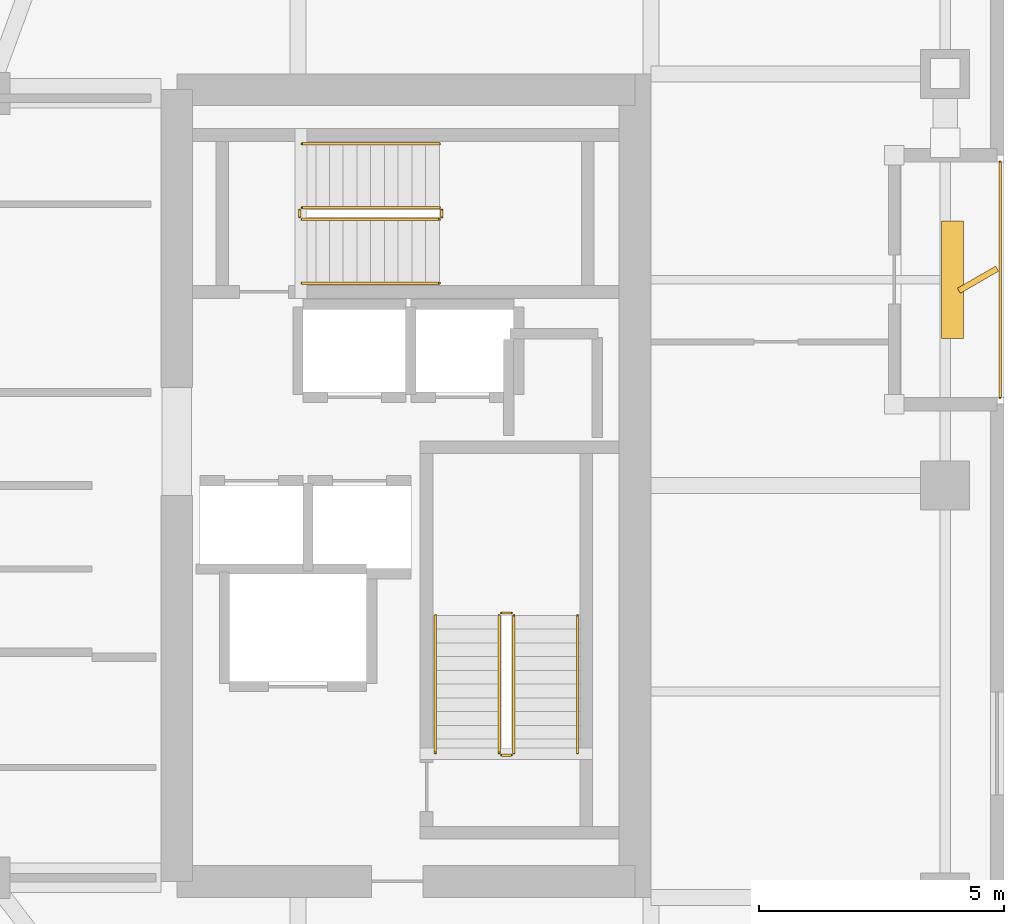
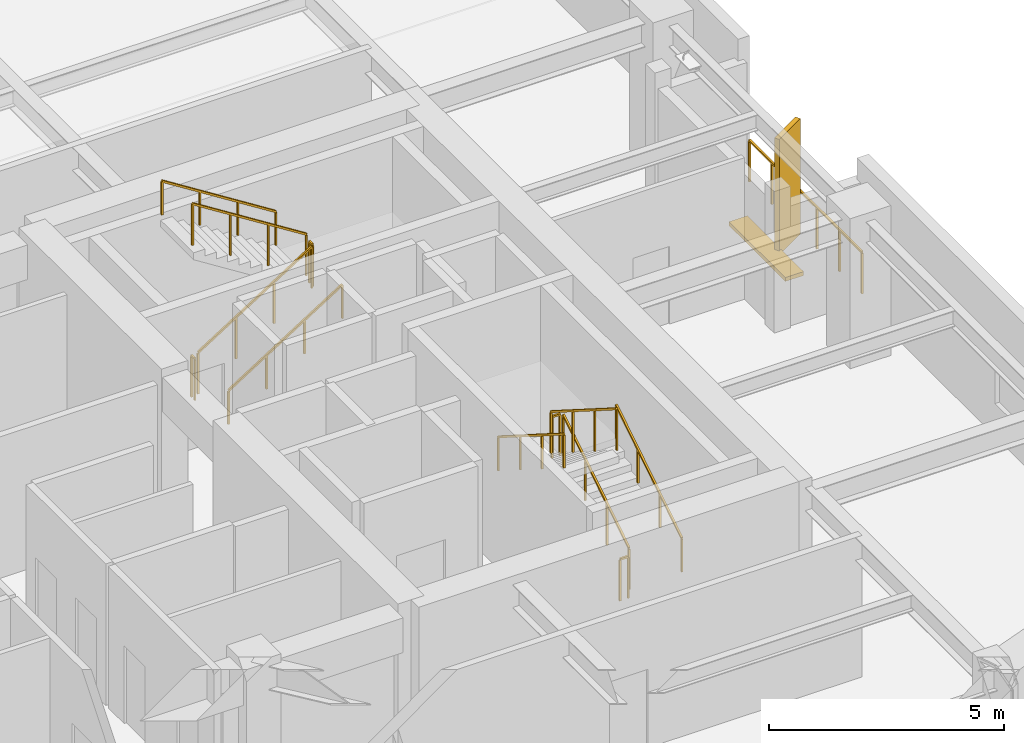
# One storey, part 20 of 21: 13 railings, 2 shading devices.
"""IFC4 building model written with IfcOpenShell, lengths in metres."""

from ifc_helpers import new_model, si_unit, direction, frame, origin, origin_2d, place, context, subcontext, project, spatial, rectangle, extrude, material, type_object, element, save


model = new_model("IFC4")

# Units and contexts
model_context = context("Model", 3, precision=1e-05, world=origin(), true_north=direction((0.0, 1.0)))
body_context = subcontext(model_context, "Body", "Model", "MODEL_VIEW")
ifc_project = project(units=[si_unit("LENGTHUNIT", "METRE"), si_unit("AREAUNIT", "SQUARE_METRE"), si_unit("VOLUMEUNIT", "CUBIC_METRE"), si_unit("PLANEANGLEUNIT", "RADIAN"), si_unit("MASSUNIT", "GRAM", prefix="KILO")], contexts=[model_context])

# Site, building, storey
site_placement = place(None, origin())
site = spatial("IfcSite", under=ifc_project, at=site_placement, CompositionType="ELEMENT")
building_placement = place(site_placement, origin())
building = spatial("IfcBuilding", under=site, at=building_placement, Name="Kiyonajd Concourse Tower", CompositionType="ELEMENT")
storey_placement = place(building_placement, frame((0.0, 0.0, 234.89990234375)))
storey = spatial("IfcBuildingStorey", under=building, at=storey_placement, Name="L59", CompositionType="ELEMENT", Elevation=234.89990234375)

# Railings
ifc_material_1 = material(Name="Thermally Broken Anodised Aluminium", Category="aluminium")
railing_type_1 = type_object("IfcRailingType", Name="RL-GRD-LOG", PredefinedType="GUARDRAIL", material=ifc_material_1)
railing_1_placement = place(storey_placement, frame((70.719970703125, 37.800048828125, 0.0)))
element("IfcRailing", 1, at=railing_1_placement, inside=storey, type_object=railing_type_1, Name="L59 Engawa Loggia Perimeter Guard LOG-E", PredefinedType="GUARDRAIL", context=body_context, shape_type="SweptSolid", body=[
    extrude(rectangle(XDim=0.048095703125, YDim=0.048095703125, at=origin_2d()), frame((0.0, 0.0, 1.076171875), z_axis=(0.0, 1.0, 0.0), x_axis=(-1.0, 0.0, 0.0)), (0.0, 0.0, 1.0), 4.800048828125),
    extrude(rectangle(XDim=0.0419921875, YDim=0.0419921875, at=origin_2d()), origin(), (0.0, 0.0, 1.0), 1.052001953125),
    extrude(rectangle(XDim=0.0419921875, YDim=0.0419921875, at=origin_2d()), frame((0.0, 0.9599609375, 0.0)), (0.0, 0.0, 1.0), 1.052001953125),
    extrude(rectangle(XDim=0.0419921875, YDim=0.0419921875, at=origin_2d()), frame((0.0, 1.919921875, 0.0)), (0.0, 0.0, 1.0), 1.052001953125),
    extrude(rectangle(XDim=0.0419921875, YDim=0.0419921875, at=origin_2d()), frame((0.0, 2.880126953125, 0.0)), (0.0, 0.0, 1.0), 1.052001953125),
    extrude(rectangle(XDim=0.0419921875, YDim=0.0419921875, at=origin_2d()), frame((0.0, 3.840087890625, 0.0)), (0.0, 0.0, 1.0), 1.052001953125),
    extrude(rectangle(XDim=0.0419921875, YDim=0.0419921875, at=origin_2d()), frame((0.0, 4.800048828125, 0.0)), (0.0, 0.0, 1.0), 1.052001953125),
])
ifc_material_2 = material(Name="Steel ASTM A500 Grade C", Category="steel")
railing_type_2 = type_object("IfcRailingType", Name="RL-GRD-STR", PredefinedType="GUARDRAIL", material=ifc_material_2)
railing_2_placement = place(storey_placement, frame((60.800048828125, 30.550048828125, 0.177490234375)))
element("IfcRailing", 2, at=railing_2_placement, inside=storey, type_object=railing_type_2, Name="L59 ST2 stair guard 1", PredefinedType="GUARDRAIL", context=body_context, shape_type="SweptSolid", body=[
    extrude(rectangle(XDim=0.048095703125, YDim=0.048095703125, at=origin_2d()), frame((0.0, 0.0, 1.076171875), z_axis=(0.0, 0.844908973607, 0.534910110503), x_axis=(-1.0, 0.0, 0.0)), (0.0, 0.0, 1.0), 3.31396484375),
    extrude(rectangle(XDim=0.0419921875, YDim=0.0419921875, at=origin_2d()), origin(), (0.0, 0.0, 1.0), 1.052001953125),
    extrude(rectangle(XDim=0.0419921875, YDim=0.0419921875, at=origin_2d()), frame((0.0, 0.933349609375, 0.5908203125)), (0.0, 0.0, 1.0), 1.052001953125),
    extrude(rectangle(XDim=0.0419921875, YDim=0.0419921875, at=origin_2d()), frame((0.0, 1.86669921875, 1.181884765625)), (0.0, 0.0, 1.0), 1.052001953125),
    extrude(rectangle(XDim=0.0419921875, YDim=0.0419921875, at=origin_2d()), frame((0.0, 2.800048828125, 1.772705078125)), (0.0, 0.0, 1.0), 1.052001953125),
])
railing_3_placement = place(storey_placement, frame((60.75, 33.39990234375, 1.9501953125)))
element("IfcRailing", 3, at=railing_3_placement, inside=storey, type_object=railing_type_2, Name="L59 ST2 stair guard 2", PredefinedType="GUARDRAIL", context=body_context, shape_type="SweptSolid", body=[
    extrude(rectangle(XDim=0.048095703125, YDim=0.048095703125, at=origin_2d()), frame((0.0, 0.0, 1.076171875), z_axis=(-1.0, 0.0, 0.0), x_axis=(0.0, -1.0, 0.0)), (0.0, 0.0, 1.0), 0.199951171875),
    extrude(rectangle(XDim=0.0419921875, YDim=0.0419921875, at=origin_2d()), origin(), (0.0, 0.0, 1.0), 1.052001953125),
    extrude(rectangle(XDim=0.0419921875, YDim=0.0419921875, at=origin_2d()), frame((-0.199951171875, 0.0, 0.0)), (0.0, 0.0, 1.0), 1.052001953125),
])
railing_4_placement = place(storey_placement, frame((60.5, 33.35009765625, 2.12744140625)))
element("IfcRailing", 4, at=railing_4_placement, inside=storey, type_object=railing_type_2, Name="L59 ST2 stair guard 3", PredefinedType="GUARDRAIL", context=body_context, shape_type="SweptSolid", body=[
    extrude(rectangle(XDim=0.048095703125, YDim=0.048095703125, at=origin_2d()), frame((0.0, 0.0, 1.076171875), z_axis=(0.0, -0.844908973607, 0.534910110503), x_axis=(1.0, 0.0, 0.0)), (0.0, 0.0, 1.0), 3.31396484375),
    extrude(rectangle(XDim=0.0419921875, YDim=0.0419921875, at=origin_2d()), origin(), (0.0, 0.0, 1.0), 1.052001953125),
    extrude(rectangle(XDim=0.0419921875, YDim=0.0419921875, at=origin_2d()), frame((0.0, -0.933349609375, 0.5908203125)), (0.0, 0.0, 1.0), 1.052001953125),
    extrude(rectangle(XDim=0.0419921875, YDim=0.0419921875, at=origin_2d()), frame((0.0, -1.86669921875, 1.181884765625)), (0.0, 0.0, 1.0), 1.052001953125),
    extrude(rectangle(XDim=0.0419921875, YDim=0.0419921875, at=origin_2d()), frame((0.0, -2.800048828125, 1.772705078125)), (0.0, 0.0, 1.0), 1.052001953125),
])
railing_5_placement = place(storey_placement, frame((60.75, 30.5, 0.0)))
element("IfcRailing", 5, at=railing_5_placement, inside=storey, type_object=railing_type_2, Name="L59 ST2 stair guard 4", PredefinedType="GUARDRAIL", context=body_context, shape_type="SweptSolid", body=[
    extrude(rectangle(XDim=0.048095703125, YDim=0.048095703125, at=origin_2d()), frame((0.0, 0.0, 1.076171875), z_axis=(-1.0, 0.0, 0.0), x_axis=(0.0, -1.0, 0.0)), (0.0, 0.0, 1.0), 0.199951171875),
    extrude(rectangle(XDim=0.0419921875, YDim=0.0419921875, at=origin_2d()), origin(), (0.0, 0.0, 1.0), 1.052001953125),
    extrude(rectangle(XDim=0.0419921875, YDim=0.0419921875, at=origin_2d()), frame((-0.199951171875, 0.0, 0.0)), (0.0, 0.0, 1.0), 1.052001953125),
])
railing_6_placement = place(storey_placement, frame((56.47998046875, 41.429931640625, 0.177490234375)))
element("IfcRailing", 6, at=railing_6_placement, inside=storey, type_object=railing_type_2, Name="L59 ST3 stair guard 1", PredefinedType="GUARDRAIL", context=body_context, shape_type="SweptSolid", body=[
    extrude(rectangle(XDim=0.048095703125, YDim=0.048095703125, at=origin_2d()), frame((0.0, 0.0, 1.076171875), z_axis=(0.844908973607, 0.0, 0.534910110503), x_axis=(0.0, 1.0, 0.0)), (0.0, 0.0, 1.0), 3.31396484375),
    extrude(rectangle(XDim=0.0419921875, YDim=0.0419921875, at=origin_2d()), origin(), (0.0, 0.0, 1.0), 1.052001953125),
    extrude(rectangle(XDim=0.0419921875, YDim=0.0419921875, at=origin_2d()), frame((0.933349609375, 0.0, 0.5908203125)), (0.0, 0.0, 1.0), 1.052001953125),
    extrude(rectangle(XDim=0.0419921875, YDim=0.0419921875, at=origin_2d()), frame((1.86669921875, 0.0, 1.181884765625)), (0.0, 0.0, 1.0), 1.052001953125),
    extrude(rectangle(XDim=0.0419921875, YDim=0.0419921875, at=origin_2d()), frame((2.800048828125, 0.0, 1.772705078125)), (0.0, 0.0, 1.0), 1.052001953125),
])
railing_7_placement = place(storey_placement, frame((59.330078125, 41.47998046875, 1.9501953125)))
element("IfcRailing", 7, at=railing_7_placement, inside=storey, type_object=railing_type_2, Name="L59 ST3 stair guard 2", PredefinedType="GUARDRAIL", context=body_context, shape_type="SweptSolid", body=[
    extrude(rectangle(XDim=0.048095703125, YDim=0.048095703125, at=origin_2d()), frame((0.0, 0.0, 1.076171875), z_axis=(0.0, 1.0, 0.0), x_axis=(-1.0, 0.0, 0.0)), (0.0, 0.0, 1.0), 0.14013671875),
    extrude(rectangle(XDim=0.0419921875, YDim=0.0419921875, at=origin_2d()), origin(), (0.0, 0.0, 1.0), 1.052001953125),
    extrude(rectangle(XDim=0.0419921875, YDim=0.0419921875, at=origin_2d()), frame((0.0, 0.14013671875, 0.0)), (0.0, 0.0, 1.0), 1.052001953125),
])
railing_8_placement = place(storey_placement, frame((59.280029296875, 41.669921875, 2.12744140625)))
element("IfcRailing", 8, at=railing_8_placement, inside=storey, type_object=railing_type_2, Name="L59 ST3 stair guard 3", PredefinedType="GUARDRAIL", context=body_context, shape_type="SweptSolid", body=[
    extrude(rectangle(XDim=0.048095703125, YDim=0.048095703125, at=origin_2d()), frame((0.0, 0.0, 1.076171875), z_axis=(-0.844908973607, 0.0, 0.534910110503), x_axis=(0.0, -1.0, 0.0)), (0.0, 0.0, 1.0), 3.31396484375),
    extrude(rectangle(XDim=0.0419921875, YDim=0.0419921875, at=origin_2d()), origin(), (0.0, 0.0, 1.0), 1.052001953125),
    extrude(rectangle(XDim=0.0419921875, YDim=0.0419921875, at=origin_2d()), frame((-0.933349609375, 0.0, 0.5908203125)), (0.0, 0.0, 1.0), 1.052001953125),
    extrude(rectangle(XDim=0.0419921875, YDim=0.0419921875, at=origin_2d()), frame((-1.86669921875, 0.0, 1.181884765625)), (0.0, 0.0, 1.0), 1.052001953125),
    extrude(rectangle(XDim=0.0419921875, YDim=0.0419921875, at=origin_2d()), frame((-2.800048828125, 0.0, 1.772705078125)), (0.0, 0.0, 1.0), 1.052001953125),
])
railing_9_placement = place(storey_placement, frame((56.429931640625, 41.47998046875, 0.0)))
element("IfcRailing", 9, at=railing_9_placement, inside=storey, type_object=railing_type_2, Name="L59 ST3 stair guard 4", PredefinedType="GUARDRAIL", context=body_context, shape_type="SweptSolid", body=[
    extrude(rectangle(XDim=0.048095703125, YDim=0.048095703125, at=origin_2d()), frame((0.0, 0.0, 1.076171875), z_axis=(0.0, 1.0, 0.0), x_axis=(-1.0, 0.0, 0.0)), (0.0, 0.0, 1.0), 0.14013671875),
    extrude(rectangle(XDim=0.0419921875, YDim=0.0419921875, at=origin_2d()), origin(), (0.0, 0.0, 1.0), 1.052001953125),
    extrude(rectangle(XDim=0.0419921875, YDim=0.0419921875, at=origin_2d()), frame((0.0, 0.14013671875, 0.0)), (0.0, 0.0, 1.0), 1.052001953125),
])
ifc_material_3 = material(Name="Brushed Stainless Steel Cab Assembly", Category="steel")
railing_type_3 = type_object("IfcRailingType", Name="RL-HND-900", PredefinedType="HANDRAIL", material=ifc_material_3)
railing_10_placement = place(storey_placement, frame((62.10009765625, 30.550048828125, 0.177490234375)))
element("IfcRailing", 10, at=railing_10_placement, inside=storey, type_object=railing_type_3, Name="L59 ST2 stair handrail 1", PredefinedType="HANDRAIL", context=body_context, shape_type="SweptSolid", body=[
    extrude(rectangle(XDim=0.048095703125, YDim=0.048095703125, at=origin_2d()), frame((0.0, 0.0, 0.8759765625), z_axis=(0.0, 0.844908973607, 0.534910110503), x_axis=(-1.0, 0.0, 0.0)), (0.0, 0.0, 1.0), 3.31396484375),
    extrude(rectangle(XDim=0.0419921875, YDim=0.0419921875, at=origin_2d()), origin(), (0.0, 0.0, 1.0), 0.851806640625),
    extrude(rectangle(XDim=0.0419921875, YDim=0.0419921875, at=origin_2d()), frame((0.0, 0.933349609375, 0.5908203125)), (0.0, 0.0, 1.0), 0.851806640625),
    extrude(rectangle(XDim=0.0419921875, YDim=0.0419921875, at=origin_2d()), frame((0.0, 1.86669921875, 1.181884765625)), (0.0, 0.0, 1.0), 0.851806640625),
    extrude(rectangle(XDim=0.0419921875, YDim=0.0419921875, at=origin_2d()), frame((0.0, 2.800048828125, 1.772705078125)), (0.0, 0.0, 1.0), 0.851806640625),
])
railing_11_placement = place(storey_placement, frame((59.199951171875, 33.35009765625, 2.12744140625)))
element("IfcRailing", 11, at=railing_11_placement, inside=storey, type_object=railing_type_3, Name="L59 ST2 stair handrail 2", PredefinedType="HANDRAIL", context=body_context, shape_type="SweptSolid", body=[
    extrude(rectangle(XDim=0.048095703125, YDim=0.048095703125, at=origin_2d()), frame((0.0, 0.0, 0.8759765625), z_axis=(0.0, -0.844908973607, 0.534910110503), x_axis=(1.0, 0.0, 0.0)), (0.0, 0.0, 1.0), 3.31396484375),
    extrude(rectangle(XDim=0.0419921875, YDim=0.0419921875, at=origin_2d()), origin(), (0.0, 0.0, 1.0), 0.851806640625),
    extrude(rectangle(XDim=0.0419921875, YDim=0.0419921875, at=origin_2d()), frame((0.0, -0.933349609375, 0.5908203125)), (0.0, 0.0, 1.0), 0.851806640625),
    extrude(rectangle(XDim=0.0419921875, YDim=0.0419921875, at=origin_2d()), frame((0.0, -1.86669921875, 1.181884765625)), (0.0, 0.0, 1.0), 0.851806640625),
    extrude(rectangle(XDim=0.0419921875, YDim=0.0419921875, at=origin_2d()), frame((0.0, -2.800048828125, 1.772705078125)), (0.0, 0.0, 1.0), 0.851806640625),
])
railing_12_placement = place(storey_placement, frame((56.47998046875, 40.1298828125, 0.177490234375)))
element("IfcRailing", 12, at=railing_12_placement, inside=storey, type_object=railing_type_3, Name="L59 ST3 stair handrail 1", PredefinedType="HANDRAIL", context=body_context, shape_type="SweptSolid", body=[
    extrude(rectangle(XDim=0.048095703125, YDim=0.048095703125, at=origin_2d()), frame((0.0, 0.0, 0.8759765625), z_axis=(0.844908973607, 0.0, 0.534910110503), x_axis=(0.0, 1.0, 0.0)), (0.0, 0.0, 1.0), 3.31396484375),
    extrude(rectangle(XDim=0.0419921875, YDim=0.0419921875, at=origin_2d()), origin(), (0.0, 0.0, 1.0), 0.851806640625),
    extrude(rectangle(XDim=0.0419921875, YDim=0.0419921875, at=origin_2d()), frame((0.933349609375, 0.0, 0.5908203125)), (0.0, 0.0, 1.0), 0.851806640625),
    extrude(rectangle(XDim=0.0419921875, YDim=0.0419921875, at=origin_2d()), frame((1.86669921875, 0.0, 1.181884765625)), (0.0, 0.0, 1.0), 0.851806640625),
    extrude(rectangle(XDim=0.0419921875, YDim=0.0419921875, at=origin_2d()), frame((2.800048828125, 0.0, 1.772705078125)), (0.0, 0.0, 1.0), 0.851806640625),
])
railing_13_placement = place(storey_placement, frame((59.280029296875, 42.969970703125, 2.12744140625)))
element("IfcRailing", 13, at=railing_13_placement, inside=storey, type_object=railing_type_3, Name="L59 ST3 stair handrail 2", PredefinedType="HANDRAIL", context=body_context, shape_type="SweptSolid", body=[
    extrude(rectangle(XDim=0.048095703125, YDim=0.048095703125, at=origin_2d()), frame((0.0, 0.0, 0.8759765625), z_axis=(-0.844908973607, 0.0, 0.534910110503), x_axis=(0.0, -1.0, 0.0)), (0.0, 0.0, 1.0), 3.31396484375),
    extrude(rectangle(XDim=0.0419921875, YDim=0.0419921875, at=origin_2d()), origin(), (0.0, 0.0, 1.0), 0.851806640625),
    extrude(rectangle(XDim=0.0419921875, YDim=0.0419921875, at=origin_2d()), frame((-0.933349609375, 0.0, 0.5908203125)), (0.0, 0.0, 1.0), 0.851806640625),
    extrude(rectangle(XDim=0.0419921875, YDim=0.0419921875, at=origin_2d()), frame((-1.86669921875, 0.0, 1.181884765625)), (0.0, 0.0, 1.0), 0.851806640625),
    extrude(rectangle(XDim=0.0419921875, YDim=0.0419921875, at=origin_2d()), frame((-2.800048828125, 0.0, 1.772705078125)), (0.0, 0.0, 1.0), 0.851806640625),
])

# Shading devices
ifc_material_4 = material(Name="Precast concrete C50/60", Category="concrete")
shading_device_type_1 = type_object("IfcShadingDeviceType", Name="SH-FIN-900", PredefinedType="USERDEFINED", material=ifc_material_4)
shading_device_1_placement = place(storey_placement, frame((70.27001953125, 40.199951171875, 0.0), z_axis=(0.0, 0.0, 1.0), x_axis=(0.866025403784, 0.5, 0.0)))
element("IfcShadingDevice", 14, at=shading_device_1_placement, inside=storey, type_object=shading_device_type_1, Name="L59 Angled Koshi Solar Fin LOG-E", ObjectType="FIN", PredefinedType="USERDEFINED", context=body_context, shape_type="SweptSolid", body=[
    extrude(rectangle(XDim=0.89990234375, YDim=0.1201171875, at=origin_2d()), origin(), (0.0, 0.0, 1.0), 3.0),
])
shading_device_type_2 = type_object("IfcShadingDeviceType", Name="SH-LVR-600", PredefinedType="JALOUSIE", material=ifc_material_1)
shading_device_2_placement = place(storey_placement, frame((69.75, 40.199951171875, 0.0), z_axis=(0.0, 0.0, 1.0), x_axis=(0.0, 1.0, 0.0)))
element("IfcShadingDevice", 15, at=shading_device_2_placement, inside=storey, type_object=shading_device_type_2, Name="L59 Loggia Threshold Louver LOG-E", PredefinedType="JALOUSIE", context=body_context, shape_type="SweptSolid", body=[
    extrude(rectangle(XDim=2.39990234375, YDim=0.449951171875, at=origin_2d()), origin(), (0.0, 0.0, 1.0), 0.10009765625),
])

save(model, "model.ifc")
